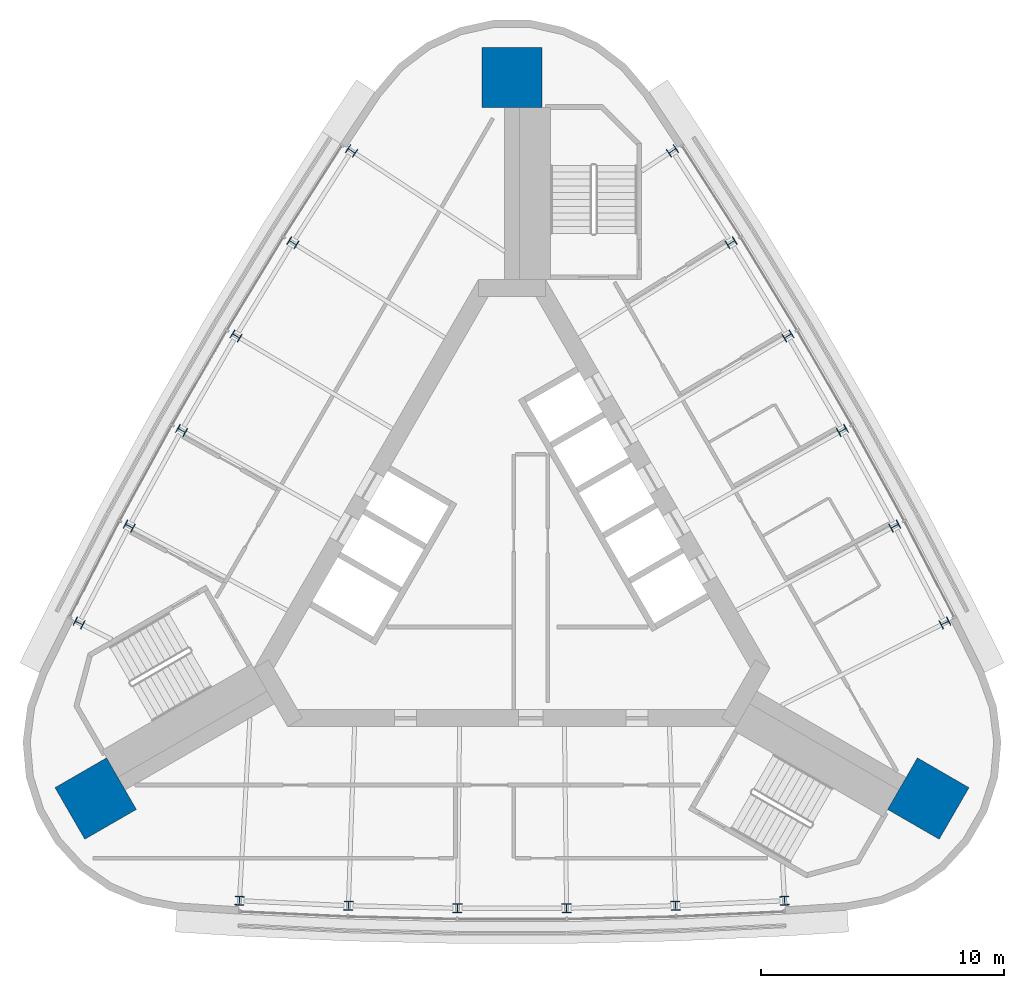
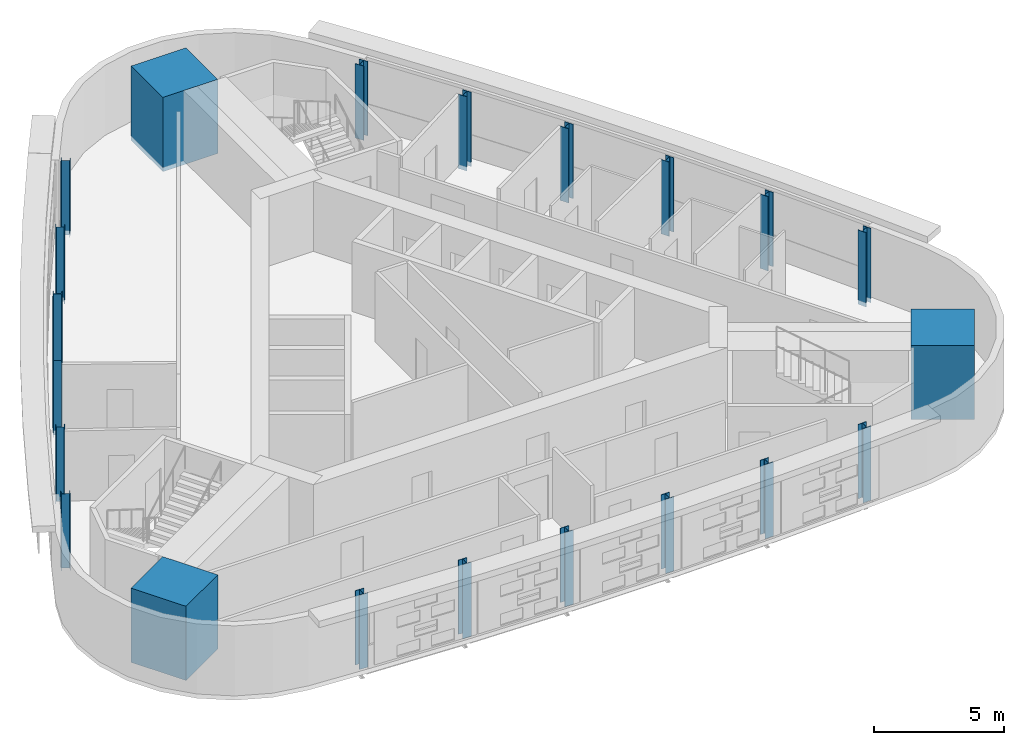
# One storey, part 1 of 10: 21 columns.
"""IFC4 building model written with IfcOpenShell, lengths in metres."""

import ifcopenshell
import ifcopenshell.guid

model = None  # the IFC model being written
_history = None  # IfcOwnerHistory: only IFC2X3 demands one
_inside = {}  # id of a spatial element -> (the spatial element, [elements in it])
_under = {}  # id of a project, library or spatial element -> (it, [spatial elements below it])
_declared = {}  # id of a project -> (the project, [libraries it declares])
_typed = {}  # id of a type object -> (the type object, [elements of that type])
_made_of = {}  # id of a material, layer set ... -> (it, [elements and type objects made of it])


def new_model(schema):
    """Start an empty IFC model of exactly this schema.

    Asked for "IFC4X3", IfcOpenShell would pick the latest addendum, in which some entities
    have other attributes; the version numbers below select the first issue.
    IFC2X3 requires an IfcOwnerHistory on every rooted entity: one is made here for all.
    """
    global model, _history
    if schema == "IFC4X3":
        model = ifcopenshell.file(schema_version=(4, 3, 0, 0))
    else:
        model = ifcopenshell.file(schema=schema)
    _inside.clear()
    _under.clear()
    _declared.clear()
    _typed.clear()
    _made_of.clear()
    _history = None
    if model.schema == "IFC2X3":
        org = make("IfcOrganization", Name="unknown")
        user = make(
            "IfcPersonAndOrganization",
            ThePerson=make("IfcPerson", FamilyName="unknown"),
            TheOrganization=org,
        )
        app = make(
            "IfcApplication",
            ApplicationDeveloper=org,
            Version="unknown",
            ApplicationFullName="unknown",
            ApplicationIdentifier="unknown",
        )
        _history = make(
            "IfcOwnerHistory",
            OwningUser=user,
            OwningApplication=app,
            ChangeAction="ADDED",
            CreationDate=0,
        )
    return model


def make(cls, **values):
    """One entity of the class cls with the attributes given. An attribute that is None is left unset."""
    return model.create_entity(
        cls, **{name: value for name, value in values.items() if value is not None}
    )


def rooted(cls, **values):
    """An entity with a GlobalId (a new one), such as an element, a storey or a relation."""
    return make(cls, GlobalId=ifcopenshell.guid.new(), OwnerHistory=_history, **values)


def si_unit(unit_type, name, prefix=None):
    """IfcSIUnit, for example si_unit("LENGTHUNIT", "METRE", prefix="MILLI")."""
    return make("IfcSIUnit", UnitType=unit_type, Prefix=prefix, Name=name)


def assignment(units):
    """IfcUnitAssignment: the units of a project."""
    return None if units is None else make("IfcUnitAssignment", Units=units)


def point(xyz):
    """IfcCartesianPoint."""
    return None if xyz is None else make("IfcCartesianPoint", Coordinates=xyz)


def direction(xyz):
    """IfcDirection."""
    return None if xyz is None else make("IfcDirection", DirectionRatios=xyz)


def frame(location, z_axis=None, x_axis=None):
    """IfcAxis2Placement3D, a coordinate frame: its origin and axes. An axis left out is left unset."""
    return make(
        "IfcAxis2Placement3D",
        Location=point(location),
        Axis=direction(z_axis),
        RefDirection=direction(x_axis),
    )


def frame_2d(location, x_axis=None):
    """IfcAxis2Placement2D, a coordinate frame in the plane: its origin and x axis."""
    return make(
        "IfcAxis2Placement2D", Location=point(location), RefDirection=direction(x_axis)
    )


def origin():
    """The frame at (0, 0, 0) with its axes left unset."""
    return frame((0.0, 0.0, 0.0))


def origin_2d():
    """The frame at (0, 0) in the plane with its x axis left unset."""
    return frame_2d((0.0, 0.0))


def place(relative_to, where):
    """IfcLocalPlacement: puts the frame where relative to a parent placement (None: the world)."""
    return make(
        "IfcLocalPlacement", PlacementRelTo=relative_to, RelativePlacement=where
    )


def context(
    kind, dimensions, precision=None, world=None, true_north=None, identifier=None
):
    """IfcGeometricRepresentationContext, for example the 3D "Model" context."""
    return make(
        "IfcGeometricRepresentationContext",
        ContextIdentifier=identifier,
        ContextType=kind,
        CoordinateSpaceDimension=dimensions,
        Precision=precision,
        WorldCoordinateSystem=world,
        TrueNorth=true_north,
    )


def subcontext(parent, identifier, kind, view, scale=None):
    """IfcGeometricRepresentationSubContext, for example "Body" below "Model"."""
    return make(
        "IfcGeometricRepresentationSubContext",
        ContextIdentifier=identifier,
        ContextType=kind,
        ParentContext=parent,
        TargetScale=scale,
        TargetView=view,
    )


def project(units=None, contexts=None):
    """IfcProject with its units and contexts."""
    return rooted(
        "IfcProject",
        Name="project",
        RepresentationContexts=contexts,
        UnitsInContext=assignment(units),
    )


def spatial(cls, under=None, at=None, **own):
    """A site, building, storey or space (cls), placed at a placement, below another one or the project."""
    s = rooted(cls, ObjectPlacement=at, **own)
    if under is not None:
        _under.setdefault(under.id(), (under, []))[1].append(s)
    return s


def profile(cls, at=None, kind="AREA", **sizes):
    """A parametric profile (cls). Its sizes go by their IFC names, for example OverallWidth=200.0."""
    return make(cls, ProfileType=kind, Position=at, **sizes)


def rectangle(**sizes):
    """IfcRectangleProfileDef."""
    return profile("IfcRectangleProfileDef", **sizes)


def i_section(**sizes):
    """IfcIShapeProfileDef."""
    return profile("IfcIShapeProfileDef", **sizes)


def extrude(swept, where, along, depth):
    """IfcExtrudedAreaSolid: the profile swept, set in the frame where, extruded along a direction by depth."""
    return make(
        "IfcExtrudedAreaSolid",
        SweptArea=swept,
        Position=where,
        ExtrudedDirection=direction(along),
        Depth=depth,
    )


def shape(context_of_items, identifier, shape_type, items):
    """IfcShapeRepresentation: the items that make up one representation, for example the "Body"."""
    return make(
        "IfcShapeRepresentation",
        ContextOfItems=context_of_items,
        RepresentationIdentifier=identifier,
        RepresentationType=shape_type,
        Items=items,
    )


def material(Name=None, Category=None):
    """IfcMaterial."""
    return make("IfcMaterial", Name=Name, Category=Category)


def material_profile(
    of_material, cross_section, Name=None, Category=None, Priority=None
):
    """IfcMaterialProfile: a cross section and its material."""
    return make(
        "IfcMaterialProfile",
        Name=Name,
        Material=of_material,
        Profile=cross_section,
        Priority=Priority,
        Category=Category,
    )


def profile_set(profiles, Name=None, composite=None):
    """IfcMaterialProfileSet."""
    return make(
        "IfcMaterialProfileSet",
        Name=Name,
        MaterialProfiles=profiles,
        CompositeProfile=composite,
    )


def made_of(thing, what):
    """Note that an element or type object is made of a material, layer set ...; save() writes the relation."""
    if what is not None:
        _made_of.setdefault(what.id(), (what, []))[1].append(thing)
    return thing


def type_object(cls, material=None, **own):
    """A type object (cls), such as IfcWallType, which elements share."""
    return made_of(rooted(cls, **own), material)


def element(
    cls,
    number,
    at=None,
    inside=None,
    cuts=None,
    type_object=None,
    material=None,
    context=None,
    identifier="Body",
    shape_type=None,
    held_by="IfcProductDefinitionShape",
    body=None,
    shapes=None,
    **own,
):
    """One element of the class cls, such as IfcWall. Its Tag is "e" and its number.

    at: its placement. inside: the storey or other place that contains it. cuts: it is an
    opening in that element (IfcRelVoidsElement). A single representation is given by context,
    identifier, shape_type and body (its items); several are given by shapes. held_by: the class
    of the entity that holds the representations. save() writes the other relations.
    """
    e = rooted(cls, Tag="e%d" % number, ObjectPlacement=at, **own)
    if body is not None:
        shapes = [shape(context, identifier, shape_type, body)]
    if shapes is not None:
        e.Representation = make(held_by, Representations=shapes)
    if inside is not None:
        _inside.setdefault(inside.id(), (inside, []))[1].append(e)
    if cuts is not None:
        rooted(
            "IfcRelVoidsElement", RelatingBuildingElement=cuts, RelatedOpeningElement=e
        )
    if type_object is not None:
        _typed.setdefault(type_object.id(), (type_object, []))[1].append(e)
    return made_of(e, material)


def aggregate(whole, parts):
    """IfcRelAggregates: a whole, such as a stair, and the parts it consists of."""
    return rooted("IfcRelAggregates", RelatingObject=whole, RelatedObjects=parts)


def save(model, path):
    """Write the relations noted so far, then the file.

    IfcRelAggregates (storeys below a building ...), IfcRelContainedInSpatialStructure (elements
    in a storey), IfcRelDefinesByType, IfcRelAssociatesMaterial and IfcRelDeclares: one each for
    every whole, place, type object, material and project.
    """
    for whole, parts in _under.values():
        aggregate(whole, parts)
    for where, things in _inside.values():
        rooted(
            "IfcRelContainedInSpatialStructure",
            RelatedElements=things,
            RelatingStructure=where,
        )
    for kind, things in _typed.values():
        rooted("IfcRelDefinesByType", RelatedObjects=things, RelatingType=kind)
    for what, things in _made_of.values():
        rooted("IfcRelAssociatesMaterial", RelatedObjects=things, RelatingMaterial=what)
    for by, libraries in _declared.values():
        rooted("IfcRelDeclares", RelatingContext=by, RelatedDefinitions=libraries)
    model.write(path)


model = new_model("IFC4")

# Units and contexts
model_context = context("Model", 3, precision=1e-05, world=origin(), true_north=direction((0.0, 1.0)))
body_context = subcontext(model_context, "Body", "Model", "MODEL_VIEW")
ifc_project = project(units=[si_unit("LENGTHUNIT", "METRE"), si_unit("AREAUNIT", "SQUARE_METRE"), si_unit("VOLUMEUNIT", "CUBIC_METRE"), si_unit("PLANEANGLEUNIT", "RADIAN"), si_unit("MASSUNIT", "GRAM", prefix="KILO")], contexts=[model_context])

# Site, building, storey
site_placement = place(None, origin())
site = spatial("IfcSite", under=ifc_project, at=site_placement, CompositionType="ELEMENT")
building_placement = place(site_placement, origin())
building = spatial("IfcBuilding", under=site, at=building_placement, Name="Noor Cloister Tower", CompositionType="ELEMENT")
storey_placement = place(building_placement, frame((0.0, 0.0, 247.199951171875)))
storey = spatial("IfcBuildingStorey", under=building, at=storey_placement, Name="L64", CompositionType="ELEMENT", Elevation=247.199951171875)

# Columns
ifc_material_1 = material(Name="Steel ASTM A992 Gr 50", Category="steel")
ifc_material_profile_1 = material_profile(ifc_material_1, i_section(OverallWidth=0.373046875, OverallDepth=0.367919921875, WebThickness=0.014892578125, FlangeThickness=0.02392578125, FilletRadius=0.01513671875, at=origin_2d()), Name="W360x179")
ifc_profile_set_1 = profile_set([ifc_material_profile_1], Name="Steel ASTM A992 Gr 50")
column_type_1 = type_object("IfcColumnType", Name="Column W360x179", PredefinedType="COLUMN", material=ifc_profile_set_1)
for number, where, z_axis, x_axis, name in (
    (1, (-6.597412109375, 16.755859375, -0.199951171875), (0.0, 0.0, 1.0), (-0.5487897446, -0.835960415464, 0.0), "Column NW 01 L64"),
    (2, (-9.016845703125, 12.976806640625, -0.199951171875), (0.0, 0.0, 1.0), (-0.529481289862, -0.848321615713, 0.0), "Column NW 02 L64"),
    (3, (-11.348876953125, 9.14306640625, -0.199951171875), (0.0, 0.0, 1.0), (-0.509894531432, -0.860236924815, 0.0), "Column NW 03 L64"),
    (4, (-13.592529296875, 5.2568359375, -0.199951171875), (0.0, 0.0, 1.0), (-0.490039764448, -0.871700079878, 0.0), "Column NW 04 L64"),
    (5, (-15.74658203125, 1.3203125, -0.199951171875), (0.0, 0.0, 1.0), (-0.469927424856, -0.882705055705, 0.0), "Column NW 05 L64"),
    (6, (-17.809814453125, -2.66455078125, -0.199951171875), (0.0, 0.0, 1.0), (-0.44956808405, -0.893246067892, 0.0), "Column NW 06 L64"),
    (7, (-11.21240234375, -14.091552734375, -0.199951171875), (0.0, 0.0, 1.0), (0.99835782865, -0.057285652428, 0.0), "Column S 01 L64"),
    (8, (-6.729736328125, -14.297119140625, -0.199951171875), (0.0, 0.0, 1.0), (0.999408714718, -0.034383439992, 0.0), "Column S 02 L64"),
    (9, (-2.24365234375, -14.39990234375, -0.199951171875), (0.0, 0.0, 1.0), (0.999934295879, -0.011463155063, 0.0), "Column S 03 L64"),
    (10, (2.24365234375, -14.39990234375, -0.199951171875), (0.0, 0.0, 1.0), (0.999934295879, 0.011463155063, 0.0), "Column S 04 L64"),
    (11, (6.729736328125, -14.297119140625, -0.199951171875), (0.0, 0.0, 1.0), (0.999408714718, 0.034383439992, 0.0), "Column S 05 L64"),
    (12, (11.21240234375, -14.091552734375, -0.199951171875), (0.0, 0.0, 1.0), (0.99835782865, 0.057285652428, 0.0), "Column S 06 L64"),
    (13, (17.809814453125, -2.66455078125, -0.199951171875), (0.0, 0.0, 1.0), (-0.44956808405, 0.893246067892, 0.0), "Column NE 01 L64"),
    (14, (15.74658203125, 1.3203125, -0.199951171875), (0.0, 0.0, 1.0), (-0.469927424856, 0.882705055705, 0.0), "Column NE 02 L64"),
    (15, (13.592529296875, 5.2568359375, -0.199951171875), (0.0, 0.0, 1.0), (-0.490039764448, 0.871700079878, 0.0), "Column NE 03 L64"),
    (16, (11.348876953125, 9.14306640625, -0.199951171875), (0.0, 0.0, 1.0), (-0.509894531432, 0.860236924815, 0.0), "Column NE 04 L64"),
    (17, (9.016845703125, 12.976806640625, -0.199951171875), (0.0, 0.0, 1.0), (-0.529481289862, 0.848321615713, 0.0), "Column NE 05 L64"),
    (18, (6.597412109375, 16.755859375, -0.199951171875), (0.0, 0.0, 1.0), (-0.5487897446, 0.835960415464, 0.0), "Column NE 06 L64"),
):
    element("IfcColumn", number, at=place(storey_placement, frame(where, z_axis=z_axis, x_axis=x_axis)), inside=storey, type_object=column_type_1, Name=name, PredefinedType="COLUMN", context=body_context, shape_type="SweptSolid", body=[
        extrude(i_section(OverallWidth=0.373046875, OverallDepth=0.367919921875, WebThickness=0.014892578125, FlangeThickness=0.02392578125, FilletRadius=0.01513671875, at=origin_2d()), origin(), (0.0, 0.0, 1.0), 3.5),
    ])
ifc_material_2 = material(Name="Concrete C60/75", Category="concrete")
ifc_material_profile_2 = material_profile(ifc_material_2, rectangle(XDim=2.449951171875, YDim=2.449951171875, at=origin_2d()), Name="RC 2450x2450")
ifc_profile_set_2 = profile_set([ifc_material_profile_2], Name="Concrete C60/75")
column_type_2 = type_object("IfcColumnType", Name="Corner pier 2450 x 2450 C60/75", PredefinedType="COLUMN", material=ifc_profile_set_2)
for number, where, z_axis, x_axis, name in (
    (19, (0.0, 19.77490234375, -0.199951171875), (0.0, 0.0, 1.0), (0.0, 1.0, 0.0), "Corner pier N L64"),
    (20, (-17.125732421875, -9.887451171875, -0.199951171875), (0.0, 0.0, 1.0), (-0.866025403784, -0.5, 0.0), "Corner pier SW L64"),
    (21, (17.125732421875, -9.887451171875, -0.199951171875), (0.0, 0.0, 1.0), (0.866025403784, -0.5, 0.0), "Corner pier SE L64"),
):
    element("IfcColumn", number, at=place(storey_placement, frame(where, z_axis=z_axis, x_axis=x_axis)), inside=storey, type_object=column_type_2, Name=name, PredefinedType="COLUMN", context=body_context, shape_type="SweptSolid", body=[
        extrude(rectangle(XDim=2.449951171875, YDim=2.449951171875, at=origin_2d()), origin(), (0.0, 0.0, 1.0), 3.5),
    ])

save(model, "model.ifc")
